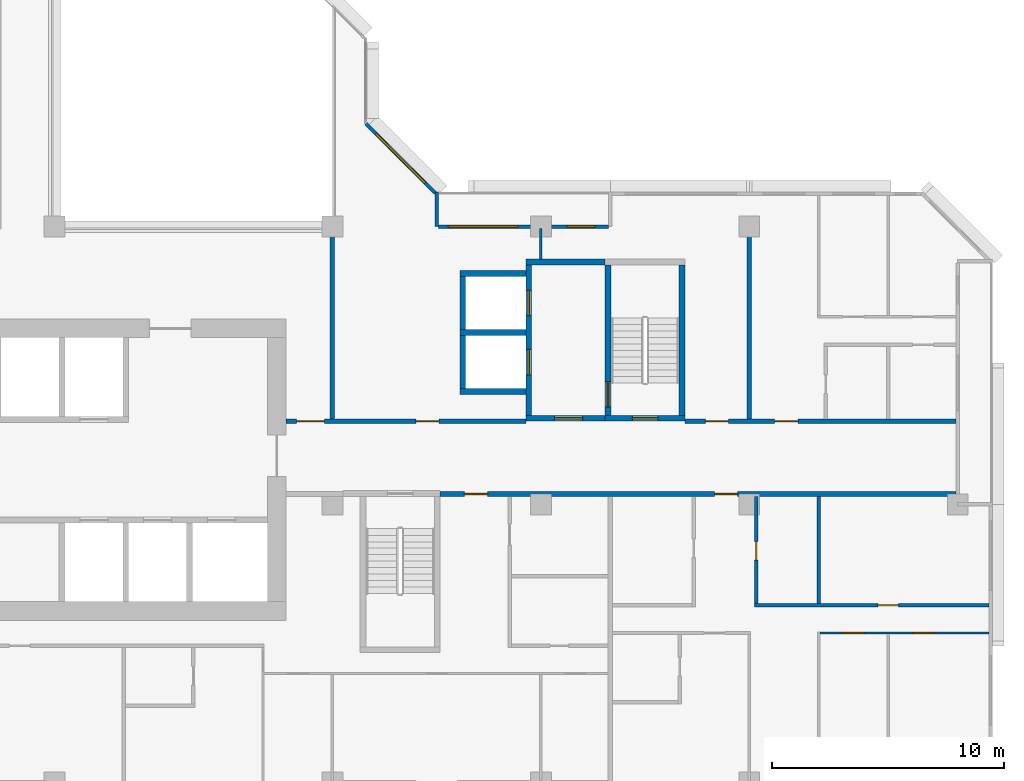
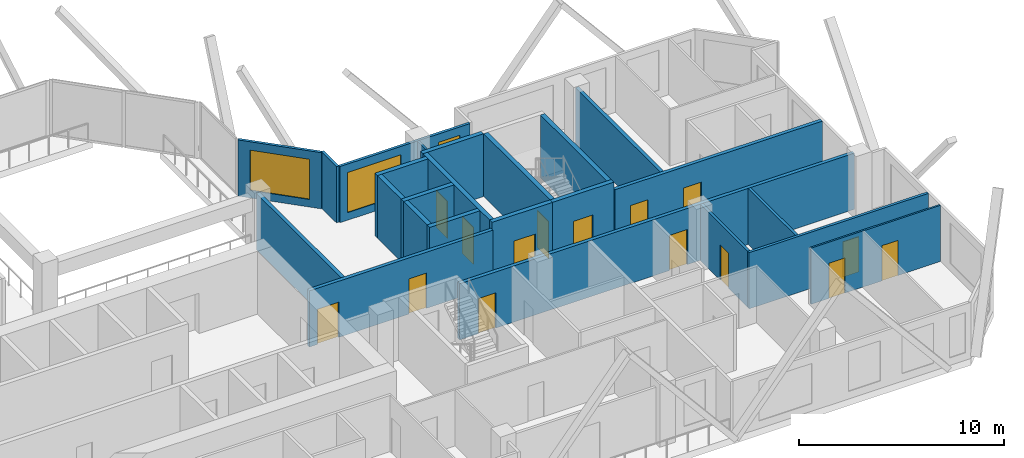
# One storey, part 7 of 14: 24 walls, 15 doors, 3 windows, 18 openings.
"""IFC4 building model written with IfcOpenShell, lengths in metres."""

from ifc_helpers import new_model, si_unit, direction, frame, frame_2d, origin, place, context, subcontext, project, spatial, rectangle, extrude, material, layer, layer_set, type_object, element, fill, save


model = new_model("IFC4")

# Units and contexts
model_context = context("Model", 3, precision=1e-05, world=origin(), true_north=direction((0.0, 1.0)))
body_context = subcontext(model_context, "Body", "Model", "MODEL_VIEW")
ifc_project = project(units=[si_unit("LENGTHUNIT", "METRE"), si_unit("AREAUNIT", "SQUARE_METRE"), si_unit("VOLUMEUNIT", "CUBIC_METRE"), si_unit("PLANEANGLEUNIT", "RADIAN"), si_unit("MASSUNIT", "GRAM", prefix="KILO")], contexts=[model_context])

# Site, building, storey
site_placement = place(None, origin())
site = spatial("IfcSite", under=ifc_project, at=site_placement, CompositionType="ELEMENT")
building_placement = place(site_placement, origin())
building = spatial("IfcBuilding", under=site, at=building_placement, Name="Chenar Terraces", CompositionType="ELEMENT")
storey_placement = place(building_placement, frame((0.0, 0.0, 164.89990234375)))
storey = spatial("IfcBuildingStorey", under=building, at=storey_placement, Name="L37", CompositionType="ELEMENT", Elevation=164.89990234375)

# Wall, opening, door
ifc_material_1 = material(Name="Concrete C60/75", Category="concrete")
ifc_layer_1 = layer(ifc_material_1, 0.25)
ifc_layer_set_1 = layer_set([ifc_layer_1], Name="Concrete C60/75")
wall_type_1 = type_object("IfcWallType", Name="Core wall 250 Concrete C60/75", PredefinedType="SHEAR", material=ifc_layer_set_1)
wall_1_placement = place(storey_placement, frame((47.77490234375, 15.72509765625, 0.0), z_axis=(0.0, 0.0, 1.0), x_axis=(1.0, 0.0, 0.0)))
wall_1 = element("IfcWall", 1, at=wall_1_placement, inside=storey, type_object=wall_type_1, Name="Core wall ST3_S L37", PredefinedType="SHEAR", context=body_context, shape_type="SweptSolid", body=[
    extrude(rectangle(XDim=3.4501953125, YDim=0.25, at=frame_2d((1.72509765625, 0.0))), origin(), (0.0, 0.0, 1.0), 3.75),
])
opening_1_placement = place(wall_1_placement, frame((1.175048828125, 0.0, 0.0)))
opening_1 = element("IfcOpeningElement", 2, at=opening_1_placement, cuts=wall_1, Name="Opening DL37-C8", PredefinedType="OPENING", context=body_context, shape_type="SweptSolid", body=[
    extrude(rectangle(XDim=1.10009765625, YDim=2.199951171875, at=frame_2d((0.550048828125, 1.10009765625))), frame((0.0, 0.135009765625, 0.0), z_axis=(0.0, -1.0, 0.0), x_axis=(1.0, 0.0, 0.0)), (0.0, 0.0, 1.0), 0.27001953125),
])
ifc_material_2 = material(Name="Steel-framed fire-resisting door leaf", Category="steel")
door_type_1 = type_object("IfcDoorType", Name="Stair fire door FD60 1100 x 2200", OperationType="SINGLE_SWING_LEFT", PredefinedType="DOOR", material=ifc_material_2)
door_1_placement = place(opening_1_placement, frame((1.10009765625, 0.0, 0.0), z_axis=(0.0, 0.0, 1.0), x_axis=(-1.0, 0.0, 0.0)))
door_1 = element("IfcDoor", 3, at=door_1_placement, inside=storey, type_object=door_type_1, Name="Stair door DL37-C8", OperationType="SINGLE_SWING_LEFT", OverallHeight=2.199951171875, OverallWidth=1.10009765625, PredefinedType="DOOR", context=body_context, shape_type="SweptSolid", body=[
    extrude(rectangle(XDim=1.10009765625, YDim=2.199951171875, at=frame_2d((0.550048828125, 1.10009765625))), frame((0.0, 0.02490234375, 0.0), z_axis=(0.0, -1.0, 0.0), x_axis=(1.0, 0.0, 0.0)), (0.0, 0.0, 1.0), 0.050048828125),
])
fill(opening_1, door_1)

wall_2_placement = place(storey_placement, frame((47.89990234375, 15.85009765625, 0.0), z_axis=(0.0, 0.0, 1.0), x_axis=(0.0, 1.0, 0.0)))
wall_2 = element("IfcWall", 4, at=wall_2_placement, inside=storey, type_object=wall_type_1, Name="Core wall ST3_W L37", PredefinedType="SHEAR", context=body_context, shape_type="SweptSolid", body=[
    extrude(rectangle(XDim=6.5, YDim=0.25, at=frame_2d((3.25, 0.0))), origin(), (0.0, 0.0, 1.0), 3.75),
])
opening_2_placement = place(wall_2_placement, frame((0.35009765625, 0.0, 0.0)))
opening_2 = element("IfcOpeningElement", 5, at=opening_2_placement, cuts=wall_2, Name="Opening DL37-C11", PredefinedType="OPENING", context=body_context, shape_type="SweptSolid", body=[
    extrude(rectangle(XDim=1.10009765625, YDim=2.199951171875, at=frame_2d((0.550048828125, 1.10009765625))), frame((0.0, 0.135009765625, 0.0), z_axis=(0.0, -1.0, 0.0), x_axis=(1.0, 0.0, 0.0)), (0.0, 0.0, 1.0), 0.27001953125),
])
door_2_placement = place(opening_2_placement, frame((1.10009765625, 0.0, 0.0), z_axis=(0.0, 0.0, 1.0), x_axis=(-1.0, 0.0, 0.0)))
door_2 = element("IfcDoor", 6, at=door_2_placement, inside=storey, type_object=door_type_1, Name="Stair door DL37-C11", OperationType="SINGLE_SWING_RIGHT", OverallHeight=2.199951171875, OverallWidth=1.10009765625, PredefinedType="DOOR", context=body_context, shape_type="SweptSolid", body=[
    extrude(rectangle(XDim=1.10009765625, YDim=2.199951171875, at=frame_2d((0.550048828125, 1.10009765625))), frame((0.0, 0.02490234375, 0.0), z_axis=(0.0, -1.0, 0.0), x_axis=(1.0, 0.0, 0.0)), (0.0, 0.0, 1.0), 0.050048828125),
])
fill(opening_2, door_2)

# Wall
wall_3_placement = place(storey_placement, frame((51.10009765625, 15.85009765625, 0.0), z_axis=(0.0, 0.0, 1.0), x_axis=(0.0, 1.0, 0.0)))
element("IfcWall", 7, at=wall_3_placement, inside=storey, type_object=wall_type_1, Name="Core wall ST3_E L37", PredefinedType="SHEAR", context=body_context, shape_type="SweptSolid", body=[
    extrude(rectangle(XDim=6.5, YDim=0.25, at=frame_2d((3.25, 0.0))), origin(), (0.0, 0.0, 1.0), 3.75),
])

# Wall, opening, door
wall_4_placement = place(storey_placement, frame((44.35009765625, 15.72509765625, 0.0), z_axis=(0.0, 0.0, 1.0), x_axis=(1.0, 0.0, 0.0)))
wall_4 = element("IfcWall", 8, at=wall_4_placement, inside=storey, type_object=wall_type_1, Name="Core wall F3_LS L37", PredefinedType="SHEAR", context=body_context, shape_type="SweptSolid", body=[
    extrude(rectangle(XDim=3.4248046875, YDim=0.25, at=frame_2d((1.71240234375, 0.0))), origin(), (0.0, 0.0, 1.0), 3.75),
])
opening_3_placement = place(wall_4_placement, frame((1.25, 0.0, 0.0)))
opening_3 = element("IfcOpeningElement", 9, at=opening_3_placement, cuts=wall_4, Name="Opening DL37-C10", PredefinedType="OPENING", context=body_context, shape_type="SweptSolid", body=[
    extrude(rectangle(XDim=1.199951171875, YDim=2.199951171875, at=frame_2d((0.60009765625, 1.10009765625))), frame((0.0, 0.135009765625, 0.0), z_axis=(0.0, -1.0, 0.0), x_axis=(1.0, 0.0, 0.0)), (0.0, 0.0, 1.0), 0.27001953125),
])
ifc_material_3 = material(Name="Steel-framed fire-resisting door leaf", Category="steel")
door_type_2 = type_object("IfcDoorType", Name="Lobby fire door FD60 1200 x 2200", OperationType="SINGLE_SWING_LEFT", PredefinedType="DOOR", material=ifc_material_3)
door_3_placement = place(opening_3_placement, origin())
door_3 = element("IfcDoor", 10, at=door_3_placement, inside=storey, type_object=door_type_2, Name="Core door DL37-C10", OperationType="SINGLE_SWING_RIGHT", OverallHeight=2.199951171875, OverallWidth=1.199951171875, PredefinedType="DOOR", context=body_context, shape_type="SweptSolid", body=[
    extrude(rectangle(XDim=1.199951171875, YDim=2.199951171875, at=frame_2d((0.60009765625, 1.10009765625))), frame((0.0, 0.02490234375, 0.0), z_axis=(0.0, -1.0, 0.0), x_axis=(1.0, 0.0, 0.0)), (0.0, 0.0, 1.0), 0.050048828125),
])
fill(opening_3, door_3)

# Wall
wall_5_placement = place(storey_placement, frame((44.35009765625, 22.47509765625, 0.0), z_axis=(0.0, 0.0, 1.0), x_axis=(1.0, 0.0, 0.0)))
element("IfcWall", 11, at=wall_5_placement, inside=storey, type_object=wall_type_1, Name="Core wall F3_LN L37", PredefinedType="SHEAR", context=body_context, shape_type="SweptSolid", body=[
    extrude(rectangle(XDim=3.4248046875, YDim=0.25, at=frame_2d((1.71240234375, 0.0))), origin(), (0.0, 0.0, 1.0), 3.75),
])

# Wall, openings, doors
wall_6_placement = place(storey_placement, frame((44.47509765625, 15.85009765625, 0.0), z_axis=(0.0, 0.0, 1.0), x_axis=(0.0, 1.0, 0.0)))
wall_6 = element("IfcWall", 12, at=wall_6_placement, inside=storey, type_object=wall_type_1, Name="Core wall F3_LW L37", PredefinedType="SHEAR", context=body_context, shape_type="SweptSolid", body=[
    extrude(rectangle(XDim=6.5, YDim=0.25, at=frame_2d((3.25, 0.0))), origin(), (0.0, 0.0, 1.0), 3.75),
])
opening_4_placement = place(wall_6_placement, frame((1.75, 0.0, 0.0)))
opening_4 = element("IfcOpeningElement", 13, at=opening_4_placement, cuts=wall_6, Name="Opening DL37-LD8", PredefinedType="OPENING", context=body_context, shape_type="SweptSolid", body=[
    extrude(rectangle(XDim=1.10009765625, YDim=2.199951171875, at=frame_2d((0.550048828125, 1.10009765625))), frame((0.0, 0.135009765625, 0.0), z_axis=(0.0, -1.0, 0.0), x_axis=(1.0, 0.0, 0.0)), (0.0, 0.0, 1.0), 0.27001953125),
])
opening_5_placement = place(wall_6_placement, frame((4.300048828125, 0.0, 0.0)))
opening_5 = element("IfcOpeningElement", 14, at=opening_5_placement, cuts=wall_6, Name="Opening DL37-LD9", PredefinedType="OPENING", context=body_context, shape_type="SweptSolid", body=[
    extrude(rectangle(XDim=1.10009765625, YDim=2.199951171875, at=frame_2d((0.550048828125, 1.10009765625))), frame((0.0, 0.135009765625, 0.0), z_axis=(0.0, -1.0, 0.0), x_axis=(1.0, 0.0, 0.0)), (0.0, 0.0, 1.0), 0.27001953125),
])
ifc_material_4 = material(Name="Stainless steel", Category="steel")
door_type_3 = type_object("IfcDoorType", Name="Lift landing door 1100 x 2200 sliding", OperationType="DOUBLE_DOOR_SLIDING", PredefinedType="DOOR", material=ifc_material_4)
door_4_placement = place(opening_4_placement, origin())
door_4 = element("IfcDoor", 15, at=door_4_placement, inside=storey, type_object=door_type_3, Name="Landing door F3", OperationType="DOUBLE_DOOR_SLIDING", OverallHeight=2.199951171875, OverallWidth=1.10009765625, PredefinedType="DOOR", context=body_context, shape_type="SweptSolid", body=[
    extrude(rectangle(XDim=1.10009765625, YDim=2.199951171875, at=frame_2d((0.550048828125, 1.10009765625))), frame((0.0, 0.02490234375, 0.0), z_axis=(0.0, -1.0, 0.0), x_axis=(1.0, 0.0, 0.0)), (0.0, 0.0, 1.0), 0.050048828125),
])
fill(opening_4, door_4)
door_5_placement = place(opening_5_placement, origin())
door_5 = element("IfcDoor", 16, at=door_5_placement, inside=storey, type_object=door_type_3, Name="Landing door F4", OperationType="DOUBLE_DOOR_SLIDING", OverallHeight=2.199951171875, OverallWidth=1.10009765625, PredefinedType="DOOR", context=body_context, shape_type="SweptSolid", body=[
    extrude(rectangle(XDim=1.10009765625, YDim=2.199951171875, at=frame_2d((0.550048828125, 1.10009765625))), frame((0.0, 0.02490234375, 0.0), z_axis=(0.0, -1.0, 0.0), x_axis=(1.0, 0.0, 0.0)), (0.0, 0.0, 1.0), 0.050048828125),
])
fill(opening_5, door_5)

# Walls
for number, where, z_axis, x_axis, name in (
    (17, (41.5, 16.875, 0.0), (0.0, 0.0, 1.0), (1.0, 0.0, 0.0), "Core wall F3_SS L37"),
    (18, (41.5, 19.425048828125, 0.0), (0.0, 0.0, 1.0), (1.0, 0.0, 0.0), "Core wall F3_SM L37"),
    (19, (41.5, 21.97509765625, 0.0), (0.0, 0.0, 1.0), (1.0, 0.0, 0.0), "Core wall F4_SN L37"),
):
    element("IfcWall", number, at=place(storey_placement, frame(where, z_axis=z_axis, x_axis=x_axis)), inside=storey, type_object=wall_type_1, Name=name, PredefinedType="SHEAR", context=body_context, shape_type="SweptSolid", body=[
        extrude(rectangle(XDim=2.85009765625, YDim=0.25, at=frame_2d((1.425048828125, 0.0))), origin(), (0.0, 0.0, 1.0), 3.75),
    ])
for number, where, z_axis, x_axis, name in (
    (20, (41.625, 17.0, 0.0), (0.0, 0.0, 1.0), (0.0, 1.0, 0.0), "Core wall F3_SW L37"),
    (21, (41.625, 19.550048828125, 0.0), (0.0, 0.0, 1.0), (0.0, 1.0, 0.0), "Core wall F4_SW L37"),
):
    element("IfcWall", number, at=place(storey_placement, frame(where, z_axis=z_axis, x_axis=x_axis)), inside=storey, type_object=wall_type_1, Name=name, PredefinedType="SHEAR", context=body_context, shape_type="SweptSolid", body=[
        extrude(rectangle(XDim=2.300048828125, YDim=0.25, at=frame_2d((1.14990234375, 0.0))), origin(), (0.0, 0.0, 1.0), 3.75),
    ])

# Wall, openings, doors
ifc_material_5 = material(Name="Gypsum board on steel studs with fire boards", Category="steel")
ifc_layer_2 = layer(ifc_material_5, 0.199951171875)
ifc_layer_set_2 = layer_set([ifc_layer_2], Name="Gypsum board on steel studs with fire boards")
wall_type_2 = type_object("IfcWallType", Name="Corridor wall 200", PredefinedType="PARTITIONING", material=ifc_layer_set_2)
wall_7_placement = place(storey_placement, frame((34.0, 15.60009765625, 0.0), z_axis=(0.0, 0.0, 1.0), x_axis=(1.0, 0.0, 0.0)))
wall_7 = element("IfcWall", 22, at=wall_7_placement, inside=storey, type_object=wall_type_2, Name="Partition L37-060", PredefinedType="PARTITIONING", context=body_context, shape_type="SweptSolid", body=[
    extrude(rectangle(XDim=10.35009765625, YDim=0.199951171875, at=frame_2d((5.175048828125, 0.0))), origin(), (0.0, 0.0, 1.0), 3.35009765625),
])
opening_6_placement = place(wall_7_placement, frame((5.60009765625, 0.0, 0.0)))
opening_6 = element("IfcOpeningElement", 23, at=opening_6_placement, cuts=wall_7, Name="Opening DL37-3", PredefinedType="OPENING", context=body_context, shape_type="SweptSolid", body=[
    extrude(rectangle(XDim=1.0, YDim=2.10009765625, at=frame_2d((0.5, 1.050048828125))), frame((0.0, 0.10986328125, 0.0), z_axis=(0.0, -1.0, 0.0), x_axis=(1.0, 0.0, 0.0)), (0.0, 0.0, 1.0), 0.219970703125),
])
opening_7_placement = place(wall_7_placement, frame((0.449951171875, 0.0, 0.0)))
opening_7 = element("IfcOpeningElement", 24, at=opening_7_placement, cuts=wall_7, Name="Opening DL37-39", PredefinedType="OPENING", context=body_context, shape_type="SweptSolid", body=[
    extrude(rectangle(XDim=1.199951171875, YDim=2.10009765625, at=frame_2d((0.60009765625, 1.050048828125))), frame((0.0, 0.10986328125, 0.0), z_axis=(0.0, -1.0, 0.0), x_axis=(1.0, 0.0, 0.0)), (0.0, 0.0, 1.0), 0.219970703125),
])
ifc_material_6 = material(Name="Steel-framed fire-resisting door leaf", Category="steel")
door_type_4 = type_object("IfcDoorType", Name="Fire door FD60 1000 x 2100", OperationType="SINGLE_SWING_LEFT", PredefinedType="DOOR", material=ifc_material_6)
door_6_placement = place(opening_6_placement, origin())
door_6 = element("IfcDoor", 25, at=door_6_placement, inside=storey, type_object=door_type_4, Name="Door DL37-3", OperationType="SINGLE_SWING_RIGHT", OverallHeight=2.10009765625, OverallWidth=1.0, PredefinedType="DOOR", context=body_context, shape_type="SweptSolid", body=[
    extrude(rectangle(XDim=1.0, YDim=2.10009765625, at=frame_2d((0.5, 1.050048828125))), frame((0.0, 0.02490234375, 0.0), z_axis=(0.0, -1.0, 0.0), x_axis=(1.0, 0.0, 0.0)), (0.0, 0.0, 1.0), 0.050048828125),
])
fill(opening_6, door_6)
ifc_material_7 = material(Name="Steel-framed fire-resisting door leaf", Category="steel")
door_type_5 = type_object("IfcDoorType", Name="Fire door FD60 1200 x 2100", OperationType="SINGLE_SWING_LEFT", PredefinedType="DOOR", material=ifc_material_7)
door_7_placement = place(opening_7_placement, origin())
door_7 = element("IfcDoor", 26, at=door_7_placement, inside=storey, type_object=door_type_5, Name="Door DL37-39", OperationType="SINGLE_SWING_RIGHT", OverallHeight=2.10009765625, OverallWidth=1.199951171875, PredefinedType="DOOR", context=body_context, shape_type="SweptSolid", body=[
    extrude(rectangle(XDim=1.199951171875, YDim=2.10009765625, at=frame_2d((0.60009765625, 1.050048828125))), frame((0.0, 0.02490234375, 0.0), z_axis=(0.0, -1.0, 0.0), x_axis=(1.0, 0.0, 0.0)), (0.0, 0.0, 1.0), 0.050048828125),
])
fill(opening_7, door_7)

# Wall
wall_8_placement = place(storey_placement, frame((36.0, 15.699951171875, 0.0), z_axis=(0.0, 0.0, 1.0), x_axis=(0.0, 1.0, 0.0)))
element("IfcWall", 27, at=wall_8_placement, inside=storey, type_object=wall_type_2, Name="Partition L37-062", PredefinedType="PARTITIONING", context=body_context, shape_type="SweptSolid", body=[
    extrude(rectangle(XDim=8.300048828125, YDim=0.199951171875, at=frame_2d((4.14990234375, 0.0))), origin(), (0.0, 0.0, 1.0), 3.35009765625),
])

# Wall, openings, doors
wall_9_placement = place(storey_placement, frame((40.64990234375, 12.449951171875, 0.0), z_axis=(0.0, 0.0, 1.0), x_axis=(1.0, 0.0, 0.0)))
wall_9 = element("IfcWall", 28, at=wall_9_placement, inside=storey, type_object=wall_type_2, Name="Partition L37-063", PredefinedType="PARTITIONING", context=body_context, shape_type="SweptSolid", body=[
    extrude(rectangle(XDim=22.276123046875, YDim=0.199951171875, at=frame_2d((11.13818359375, 0.0))), origin(), (0.0, 0.0, 1.0), 3.35009765625),
])
opening_8_placement = place(wall_9_placement, frame((11.85009765625, 0.0, 0.0)))
opening_8 = element("IfcOpeningElement", 29, at=opening_8_placement, cuts=wall_9, Name="Opening DL37-16", PredefinedType="OPENING", context=body_context, shape_type="SweptSolid", body=[
    extrude(rectangle(XDim=1.0, YDim=2.10009765625, at=frame_2d((0.5, 1.050048828125))), frame((0.0, 0.10986328125, 0.0), z_axis=(0.0, -1.0, 0.0), x_axis=(1.0, 0.0, 0.0)), (0.0, 0.0, 1.0), 0.219970703125),
])
opening_9_placement = place(wall_9_placement, frame((1.050048828125, 0.0, 0.0)))
opening_9 = element("IfcOpeningElement", 30, at=opening_9_placement, cuts=wall_9, Name="Opening DL37-54", PredefinedType="OPENING", context=body_context, shape_type="SweptSolid", body=[
    extrude(rectangle(XDim=1.0, YDim=2.10009765625, at=frame_2d((0.5, 1.050048828125))), frame((0.0, 0.10986328125, 0.0), z_axis=(0.0, -1.0, 0.0), x_axis=(1.0, 0.0, 0.0)), (0.0, 0.0, 1.0), 0.219970703125),
])
ifc_material_8 = material(Name="Steel-framed fire-resisting door leaf", Category="steel")
door_type_6 = type_object("IfcDoorType", Name="Fire door FD30S 1000 x 2100", OperationType="SINGLE_SWING_LEFT", PredefinedType="DOOR", material=ifc_material_8)
door_8_placement = place(opening_8_placement, frame((1.0, 0.0, 0.0), z_axis=(0.0, 0.0, 1.0), x_axis=(-1.0, 0.0, 0.0)))
door_8 = element("IfcDoor", 31, at=door_8_placement, inside=storey, type_object=door_type_6, Name="Door DL37-16", OperationType="SINGLE_SWING_LEFT", OverallHeight=2.10009765625, OverallWidth=1.0, PredefinedType="DOOR", context=body_context, shape_type="SweptSolid", body=[
    extrude(rectangle(XDim=1.0, YDim=2.10009765625, at=frame_2d((0.5, 1.050048828125))), frame((0.0, 0.02490234375, 0.0), z_axis=(0.0, -1.0, 0.0), x_axis=(1.0, 0.0, 0.0)), (0.0, 0.0, 1.0), 0.050048828125),
])
fill(opening_8, door_8)
door_9_placement = place(opening_9_placement, origin())
door_9 = element("IfcDoor", 32, at=door_9_placement, inside=storey, type_object=door_type_6, Name="Door DL37-54", OperationType="SINGLE_SWING_LEFT", OverallHeight=2.10009765625, OverallWidth=1.0, PredefinedType="DOOR", context=body_context, shape_type="SweptSolid", body=[
    extrude(rectangle(XDim=1.0, YDim=2.10009765625, at=frame_2d((0.5, 1.050048828125))), frame((0.0, 0.02490234375, 0.0), z_axis=(0.0, -1.0, 0.0), x_axis=(1.0, 0.0, 0.0)), (0.0, 0.0, 1.0), 0.050048828125),
])
fill(opening_9, door_9)

wall_10_placement = place(storey_placement, frame((51.22509765625, 15.60009765625, 0.0), z_axis=(0.0, 0.0, 1.0), x_axis=(1.0, 0.0, 0.0)))
wall_10 = element("IfcWall", 33, at=wall_10_placement, inside=storey, type_object=wall_type_2, Name="Partition L37-074", PredefinedType="PARTITIONING", context=body_context, shape_type="SweptSolid", body=[
    extrude(rectangle(XDim=11.700927734375, YDim=0.199951171875, at=frame_2d((5.8505859375, 0.0))), origin(), (0.0, 0.0, 1.0), 3.35009765625),
])
opening_10_placement = place(wall_10_placement, frame((3.875, 0.0, 0.0)))
opening_10 = element("IfcOpeningElement", 34, at=opening_10_placement, cuts=wall_10, Name="Opening DL37-8", PredefinedType="OPENING", context=body_context, shape_type="SweptSolid", body=[
    extrude(rectangle(XDim=1.0, YDim=2.10009765625, at=frame_2d((0.5, 1.050048828125))), frame((0.0, 0.10986328125, 0.0), z_axis=(0.0, -1.0, 0.0), x_axis=(1.0, 0.0, 0.0)), (0.0, 0.0, 1.0), 0.219970703125),
])
opening_11_placement = place(wall_10_placement, frame((0.875, 0.0, 0.0)))
opening_11 = element("IfcOpeningElement", 35, at=opening_11_placement, cuts=wall_10, Name="Opening DL37-43", PredefinedType="OPENING", context=body_context, shape_type="SweptSolid", body=[
    extrude(rectangle(XDim=1.0, YDim=2.10009765625, at=frame_2d((0.5, 1.050048828125))), frame((0.0, 0.10986328125, 0.0), z_axis=(0.0, -1.0, 0.0), x_axis=(1.0, 0.0, 0.0)), (0.0, 0.0, 1.0), 0.219970703125),
])
door_10_placement = place(opening_10_placement, origin())
door_10 = element("IfcDoor", 36, at=door_10_placement, inside=storey, type_object=door_type_6, Name="Door DL37-8", OperationType="SINGLE_SWING_LEFT", OverallHeight=2.10009765625, OverallWidth=1.0, PredefinedType="DOOR", context=body_context, shape_type="SweptSolid", body=[
    extrude(rectangle(XDim=1.0, YDim=2.10009765625, at=frame_2d((0.5, 1.050048828125))), frame((0.0, 0.02490234375, 0.0), z_axis=(0.0, -1.0, 0.0), x_axis=(1.0, 0.0, 0.0)), (0.0, 0.0, 1.0), 0.050048828125),
])
fill(opening_10, door_10)
door_11_placement = place(opening_11_placement, origin())
door_11 = element("IfcDoor", 37, at=door_11_placement, inside=storey, type_object=door_type_6, Name="Door DL37-43", OperationType="SINGLE_SWING_RIGHT", OverallHeight=2.10009765625, OverallWidth=1.0, PredefinedType="DOOR", context=body_context, shape_type="SweptSolid", body=[
    extrude(rectangle(XDim=1.0, YDim=2.10009765625, at=frame_2d((0.5, 1.050048828125))), frame((0.0, 0.02490234375, 0.0), z_axis=(0.0, -1.0, 0.0), x_axis=(1.0, 0.0, 0.0)), (0.0, 0.0, 1.0), 0.050048828125),
])
fill(opening_11, door_11)

# Wall, openings, windows
ifc_material_9 = material(Name="Aluminium framed glazing", Category="aluminium")
ifc_layer_3 = layer(ifc_material_9, 0.14990234375)
ifc_layer_set_3 = layer_set([ifc_layer_3], Name="Aluminium framed glazing")
wall_type_3 = type_object("IfcWallType", Name="Glazed loggia back wall 150", PredefinedType="SOLIDWALL", material=ifc_layer_set_3)
wall_11_placement = place(storey_placement, frame((47.925048828125, 24.0, 0.0), z_axis=(0.0, 0.0, 1.0), x_axis=(-1.0, 0.0, 0.0)))
wall_11 = element("IfcWall", 38, at=wall_11_placement, inside=storey, type_object=wall_type_3, Name="Glazed loggia back wall", PredefinedType="SOLIDWALL", context=body_context, shape_type="SweptSolid", body=[
    extrude(rectangle(XDim=7.35009765625, YDim=0.14990234375, at=frame_2d((3.675048828125, 0.0))), origin(), (0.0, 0.0, 1.0), 3.35009765625),
])
opening_12_placement = place(wall_11_placement, frame((0.58740234375, 0.0, 0.449951171875)))
opening_12 = element("IfcOpeningElement", 39, at=opening_12_placement, cuts=wall_11, Name="Opening W120x240", PredefinedType="OPENING", context=body_context, shape_type="SweptSolid", body=[
    extrude(rectangle(XDim=1.199951171875, YDim=2.39990234375, at=frame_2d((0.60009765625, 1.199951171875))), frame((0.0, 0.0849609375, 0.0), z_axis=(0.0, -1.0, 0.0), x_axis=(1.0, 0.0, 0.0)), (0.0, 0.0, 1.0), 0.169921875),
])
opening_13_placement = place(wall_11_placement, frame((3.91259765625, 0.0, 0.449951171875)))
opening_13 = element("IfcOpeningElement", 40, at=opening_13_placement, cuts=wall_11, Name="Opening W300x240", PredefinedType="OPENING", context=body_context, shape_type="SweptSolid", body=[
    extrude(rectangle(XDim=3.0, YDim=2.39990234375, at=frame_2d((1.5, 1.199951171875))), frame((0.0, 0.0849609375, 0.0), z_axis=(0.0, -1.0, 0.0), x_axis=(1.0, 0.0, 0.0)), (0.0, 0.0, 1.0), 0.169921875),
])
ifc_material_10 = material(Name="Low emissivity double glazing, aluminium frame", Category="aluminium")
window_type_1 = type_object("IfcWindowType", Name="Fixed light 1200 x 2400", PartitioningType="SINGLE_PANEL", PredefinedType="WINDOW", material=ifc_material_10)
window_1_placement = place(opening_12_placement, origin())
window_1 = element("IfcWindow", 41, at=window_1_placement, inside=storey, type_object=window_type_1, Name="Window", OverallHeight=2.39990234375, OverallWidth=1.199951171875, PartitioningType="SINGLE_PANEL", PredefinedType="WINDOW", context=body_context, shape_type="SweptSolid", body=[
    extrude(rectangle(XDim=1.199951171875, YDim=2.39990234375, at=frame_2d((0.60009765625, 1.199951171875))), frame((0.0, 0.030029296875, 0.0), z_axis=(0.0, -1.0, 0.0), x_axis=(1.0, 0.0, 0.0)), (0.0, 0.0, 1.0), 0.06005859375),
])
fill(opening_12, window_1)
ifc_material_11 = material(Name="Low emissivity double glazing, aluminium frame", Category="aluminium")
window_type_2 = type_object("IfcWindowType", Name="Fixed light 3000 x 2400", PartitioningType="SINGLE_PANEL", PredefinedType="WINDOW", material=ifc_material_11)
window_2_placement = place(opening_13_placement, origin())
window_2 = element("IfcWindow", 42, at=window_2_placement, inside=storey, type_object=window_type_2, Name="Window", OverallHeight=2.39990234375, OverallWidth=3.0, PartitioningType="SINGLE_PANEL", PredefinedType="WINDOW", context=body_context, shape_type="SweptSolid", body=[
    extrude(rectangle(XDim=3.0, YDim=2.39990234375, at=frame_2d((1.5, 1.199951171875))), frame((0.0, 0.030029296875, 0.0), z_axis=(0.0, -1.0, 0.0), x_axis=(1.0, 0.0, 0.0)), (0.0, 0.0, 1.0), 0.06005859375),
])
fill(opening_13, window_2)

# Wall
ifc_material_12 = material(Name="Gypsum board on steel studs", Category="steel")
ifc_layer_4 = layer(ifc_material_12, 0.10009765625)
ifc_layer_set_4 = layer_set([ifc_layer_4], Name="Gypsum board on steel studs")
wall_type_4 = type_object("IfcWallType", Name="Gypsum partition 100", PredefinedType="PARTITIONING", material=ifc_layer_set_4)
wall_12_placement = place(storey_placement, frame((45.0, 22.60009765625, 0.0), z_axis=(0.0, 0.0, 1.0), x_axis=(0.0, 1.0, 0.0)))
element("IfcWall", 43, at=wall_12_placement, inside=storey, type_object=wall_type_4, Name="Partition L37-068", PredefinedType="PARTITIONING", context=body_context, shape_type="SweptSolid", body=[
    extrude(rectangle(XDim=1.325927734375, YDim=0.10009765625, at=frame_2d((0.6630859375, 0.0))), origin(), (0.0, 0.0, 1.0), 3.35009765625),
])

# Wall, openings, doors
wall_13_placement = place(storey_placement, frame((57.050048828125, 6.449951171875, 0.0), z_axis=(0.0, 0.0, 1.0), x_axis=(1.0, 0.0, 0.0)))
wall_13 = element("IfcWall", 44, at=wall_13_placement, inside=storey, type_object=wall_type_4, Name="Partition L37-084", PredefinedType="PARTITIONING", context=body_context, shape_type="SweptSolid", body=[
    extrude(rectangle(XDim=7.300048828125, YDim=0.10009765625, at=frame_2d((3.64990234375, 0.0))), origin(), (0.0, 0.0, 1.0), 3.35009765625),
])
opening_14_placement = place(wall_13_placement, frame((1.0, 0.0, 0.0)))
opening_14 = element("IfcOpeningElement", 45, at=opening_14_placement, cuts=wall_13, Name="Opening DL37-10", PredefinedType="OPENING", context=body_context, shape_type="SweptSolid", body=[
    extrude(rectangle(XDim=0.89990234375, YDim=2.10009765625, at=frame_2d((0.449951171875, 1.050048828125))), frame((0.0, 0.06005859375, 0.0), z_axis=(0.0, -1.0, 0.0), x_axis=(1.0, 0.0, 0.0)), (0.0, 0.0, 1.0), 0.1201171875),
])
opening_15_placement = place(wall_13_placement, frame((4.0, 0.0, 0.0)))
opening_15 = element("IfcOpeningElement", 46, at=opening_15_placement, cuts=wall_13, Name="Opening DL37-11", PredefinedType="OPENING", context=body_context, shape_type="SweptSolid", body=[
    extrude(rectangle(XDim=0.89990234375, YDim=2.10009765625, at=frame_2d((0.449951171875, 1.050048828125))), frame((0.0, 0.06005859375, 0.0), z_axis=(0.0, -1.0, 0.0), x_axis=(1.0, 0.0, 0.0)), (0.0, 0.0, 1.0), 0.1201171875),
])
ifc_material_13 = material(Name="Veneered timber door leaf", Category="wood")
door_type_7 = type_object("IfcDoorType", Name="Door 900 x 2100", OperationType="SINGLE_SWING_LEFT", PredefinedType="DOOR", material=ifc_material_13)
door_12_placement = place(opening_14_placement, frame((0.89990234375, 0.0, 0.0), z_axis=(0.0, 0.0, 1.0), x_axis=(-1.0, 0.0, 0.0)))
door_12 = element("IfcDoor", 47, at=door_12_placement, inside=storey, type_object=door_type_7, Name="Door DL37-10", OperationType="SINGLE_SWING_LEFT", OverallHeight=2.10009765625, OverallWidth=0.89990234375, PredefinedType="DOOR", context=body_context, shape_type="SweptSolid", body=[
    extrude(rectangle(XDim=0.89990234375, YDim=2.10009765625, at=frame_2d((0.449951171875, 1.050048828125))), frame((0.0, 0.02490234375, 0.0), z_axis=(0.0, -1.0, 0.0), x_axis=(1.0, 0.0, 0.0)), (0.0, 0.0, 1.0), 0.050048828125),
])
fill(opening_14, door_12)
door_13_placement = place(opening_15_placement, frame((0.89990234375, 0.0, 0.0), z_axis=(0.0, 0.0, 1.0), x_axis=(-1.0, 0.0, 0.0)))
door_13 = element("IfcDoor", 48, at=door_13_placement, inside=storey, type_object=door_type_7, Name="Door DL37-11", OperationType="SINGLE_SWING_RIGHT", OverallHeight=2.10009765625, OverallWidth=0.89990234375, PredefinedType="DOOR", context=body_context, shape_type="SweptSolid", body=[
    extrude(rectangle(XDim=0.89990234375, YDim=2.10009765625, at=frame_2d((0.449951171875, 1.050048828125))), frame((0.0, 0.02490234375, 0.0), z_axis=(0.0, -1.0, 0.0), x_axis=(1.0, 0.0, 0.0)), (0.0, 0.0, 1.0), 0.050048828125),
])
fill(opening_15, door_13)

# Wall
ifc_material_14 = material(Name="Terracotta cladding on insulated backing", Category="masonry")
ifc_layer_5 = layer(ifc_material_14, 0.14990234375)
ifc_layer_set_5 = layer_set([ifc_layer_5], Name="Terracotta cladding on insulated backing")
wall_type_5 = type_object("IfcWallType", Name="Loggia return wall 150", PredefinedType="SOLIDWALL", material=ifc_layer_set_5)
wall_14_placement = place(storey_placement, frame((40.5, 25.5, 0.0), z_axis=(0.0, 0.0, 1.0), x_axis=(0.0, -1.0, 0.0)))
element("IfcWall", 49, at=wall_14_placement, inside=storey, type_object=wall_type_5, Name="Loggia return wall", PredefinedType="SOLIDWALL", context=body_context, shape_type="SweptSolid", body=[
    extrude(rectangle(XDim=1.5, YDim=0.14990234375, at=frame_2d((0.75, 0.0))), origin(), (0.0, 0.0, 1.0), 3.35009765625),
])

# Wall, opening, window
ifc_material_15 = material(Name="Terracotta cladding on insulated backing", Category="masonry")
ifc_layer_6 = layer(ifc_material_15, 0.14990234375)
ifc_layer_set_6 = layer_set([ifc_layer_6], Name="Terracotta cladding on insulated backing")
wall_type_6 = type_object("IfcWallType", Name="Terracotta rainscreen wall 150", PredefinedType="SOLIDWALL", material=ifc_layer_set_6)
wall_15_placement = place(storey_placement, frame((40.447021484375, 25.447021484375, 0.0), z_axis=(0.0, 0.0, 1.0), x_axis=(-0.707106781187, 0.707106781187, 0.0)))
wall_15 = element("IfcWall", 50, at=wall_15_placement, inside=storey, type_object=wall_type_6, Name="Terracotta rainscreen wall", PredefinedType="SOLIDWALL", context=body_context, shape_type="SweptSolid", body=[
    extrude(rectangle(XDim=4.24267578125, YDim=0.14990234375, at=frame_2d((2.121337890625, 0.0))), origin(), (0.0, 0.0, 1.0), 3.35009765625),
])
opening_16_placement = place(wall_15_placement, frame((0.621337890625, 0.0, 0.449951171875)))
opening_16 = element("IfcOpeningElement", 51, at=opening_16_placement, cuts=wall_15, Name="Opening W300x240", PredefinedType="OPENING", context=body_context, shape_type="SweptSolid", body=[
    extrude(rectangle(XDim=3.0, YDim=2.39990234375, at=frame_2d((1.5, 1.199951171875))), frame((0.0, 0.0849609375, 0.0), z_axis=(0.0, -1.0, 0.0), x_axis=(1.0, 0.0, 0.0)), (0.0, 0.0, 1.0), 0.169921875),
])
window_3_placement = place(opening_16_placement, origin())
window_3 = element("IfcWindow", 52, at=window_3_placement, inside=storey, type_object=window_type_2, Name="Window", OverallHeight=2.39990234375, OverallWidth=3.0, PartitioningType="SINGLE_PANEL", PredefinedType="WINDOW", context=body_context, shape_type="SweptSolid", body=[
    extrude(rectangle(XDim=3.0, YDim=2.39990234375, at=frame_2d((1.5, 1.199951171875))), frame((0.0, 0.030029296875, 0.0), z_axis=(0.0, -1.0, 0.0), x_axis=(1.0, 0.0, 0.0)), (0.0, 0.0, 1.0), 0.06005859375),
])
fill(opening_16, window_3)

# Wall
ifc_material_16 = material(Name="Twin gypsum board on steel studs with mineral wool", Category="steel")
ifc_layer_7 = layer(ifc_material_16, 0.199951171875)
ifc_layer_set_7 = layer_set([ifc_layer_7], Name="Twin gypsum board on steel studs with mineral wool")
wall_type_7 = type_object("IfcWallType", Name="Unit demising wall 200", PredefinedType="PARTITIONING", material=ifc_layer_set_7)
wall_16_placement = place(storey_placement, frame((54.0, 15.699951171875, 0.0), z_axis=(0.0, 0.0, 1.0), x_axis=(0.0, 1.0, 0.0)))
element("IfcWall", 53, at=wall_16_placement, inside=storey, type_object=wall_type_7, Name="Partition L37-077", PredefinedType="PARTITIONING", context=body_context, shape_type="SweptSolid", body=[
    extrude(rectangle(XDim=8.300048828125, YDim=0.199951171875, at=frame_2d((4.14990234375, 0.0))), origin(), (0.0, 0.0, 1.0), 3.35009765625),
])

# Wall, opening, door
ifc_material_17 = material(Name="Moisture-resistant gypsum board on steel studs", Category="steel")
ifc_layer_8 = layer(ifc_material_17, 0.14990234375)
ifc_layer_set_8 = layer_set([ifc_layer_8], Name="Moisture-resistant gypsum board on steel studs")
wall_type_8 = type_object("IfcWallType", Name="Wet-room partition 150", PredefinedType="PARTITIONING", material=ifc_layer_set_8)
wall_17_placement = place(storey_placement, frame((54.22509765625, 7.64990234375, 0.0), z_axis=(0.0, 0.0, 1.0), x_axis=(1.0, 0.0, 0.0)))
wall_17 = element("IfcWall", 54, at=wall_17_placement, inside=storey, type_object=wall_type_8, Name="Partition L37-078", PredefinedType="PARTITIONING", context=body_context, shape_type="SweptSolid", body=[
    extrude(rectangle(XDim=10.125, YDim=0.14990234375, at=frame_2d((5.0625, 0.0))), origin(), (0.0, 0.0, 1.0), 3.35009765625),
])
opening_17_placement = place(wall_17_placement, frame((5.324951171875, 0.0, 0.0)))
opening_17 = element("IfcOpeningElement", 55, at=opening_17_placement, cuts=wall_17, Name="Opening DL37-14", PredefinedType="OPENING", context=body_context, shape_type="SweptSolid", body=[
    extrude(rectangle(XDim=0.89990234375, YDim=2.10009765625, at=frame_2d((0.449951171875, 1.050048828125))), frame((0.0, 0.0849609375, 0.0), z_axis=(0.0, -1.0, 0.0), x_axis=(1.0, 0.0, 0.0)), (0.0, 0.0, 1.0), 0.169921875),
])
door_14_placement = place(opening_17_placement, origin())
door_14 = element("IfcDoor", 56, at=door_14_placement, inside=storey, type_object=door_type_7, Name="Door DL37-14", OperationType="SINGLE_SWING_LEFT", OverallHeight=2.10009765625, OverallWidth=0.89990234375, PredefinedType="DOOR", context=body_context, shape_type="SweptSolid", body=[
    extrude(rectangle(XDim=0.89990234375, YDim=2.10009765625, at=frame_2d((0.449951171875, 1.050048828125))), frame((0.0, 0.02490234375, 0.0), z_axis=(0.0, -1.0, 0.0), x_axis=(1.0, 0.0, 0.0)), (0.0, 0.0, 1.0), 0.050048828125),
])
fill(opening_17, door_14)

wall_18_placement = place(storey_placement, frame((54.300048828125, 7.72509765625, 0.0), z_axis=(0.0, 0.0, 1.0), x_axis=(0.0, 1.0, 0.0)))
wall_18 = element("IfcWall", 57, at=wall_18_placement, inside=storey, type_object=wall_type_8, Name="Partition L37-079", PredefinedType="PARTITIONING", context=body_context, shape_type="SweptSolid", body=[
    extrude(rectangle(XDim=4.625, YDim=0.14990234375, at=frame_2d((2.3125, 0.0))), origin(), (0.0, 0.0, 1.0), 3.35009765625),
])
opening_18_placement = place(wall_18_placement, frame((1.875, 0.0, 0.0)))
opening_18 = element("IfcOpeningElement", 58, at=opening_18_placement, cuts=wall_18, Name="Opening DL37-9", PredefinedType="OPENING", context=body_context, shape_type="SweptSolid", body=[
    extrude(rectangle(XDim=0.800048828125, YDim=2.10009765625, at=frame_2d((0.39990234375, 1.050048828125))), frame((0.0, 0.0849609375, 0.0), z_axis=(0.0, -1.0, 0.0), x_axis=(1.0, 0.0, 0.0)), (0.0, 0.0, 1.0), 0.169921875),
])
ifc_material_18 = material(Name="Veneered timber door leaf", Category="wood")
door_type_8 = type_object("IfcDoorType", Name="Door 800 x 2100", OperationType="SINGLE_SWING_LEFT", PredefinedType="DOOR", material=ifc_material_18)
door_15_placement = place(opening_18_placement, frame((0.800048828125, 0.0, 0.0), z_axis=(0.0, 0.0, 1.0), x_axis=(-1.0, 0.0, 0.0)))
door_15 = element("IfcDoor", 59, at=door_15_placement, inside=storey, type_object=door_type_8, Name="Door DL37-9", OperationType="SINGLE_SWING_LEFT", OverallHeight=2.10009765625, OverallWidth=0.800048828125, PredefinedType="DOOR", context=body_context, shape_type="SweptSolid", body=[
    extrude(rectangle(XDim=0.800048828125, YDim=2.10009765625, at=frame_2d((0.39990234375, 1.050048828125))), frame((0.0, 0.02490234375, 0.0), z_axis=(0.0, -1.0, 0.0), x_axis=(1.0, 0.0, 0.0)), (0.0, 0.0, 1.0), 0.050048828125),
])
fill(opening_18, door_15)

# Wall
wall_19_placement = place(storey_placement, frame((57.0, 7.72509765625, 0.0), z_axis=(0.0, 0.0, 1.0), x_axis=(0.0, 1.0, 0.0)))
element("IfcWall", 60, at=wall_19_placement, inside=storey, type_object=wall_type_8, Name="Partition L37-082", PredefinedType="PARTITIONING", context=body_context, shape_type="SweptSolid", body=[
    extrude(rectangle(XDim=4.625, YDim=0.14990234375, at=frame_2d((2.3125, 0.0))), origin(), (0.0, 0.0, 1.0), 3.35009765625),
])

save(model, "model.ifc")
